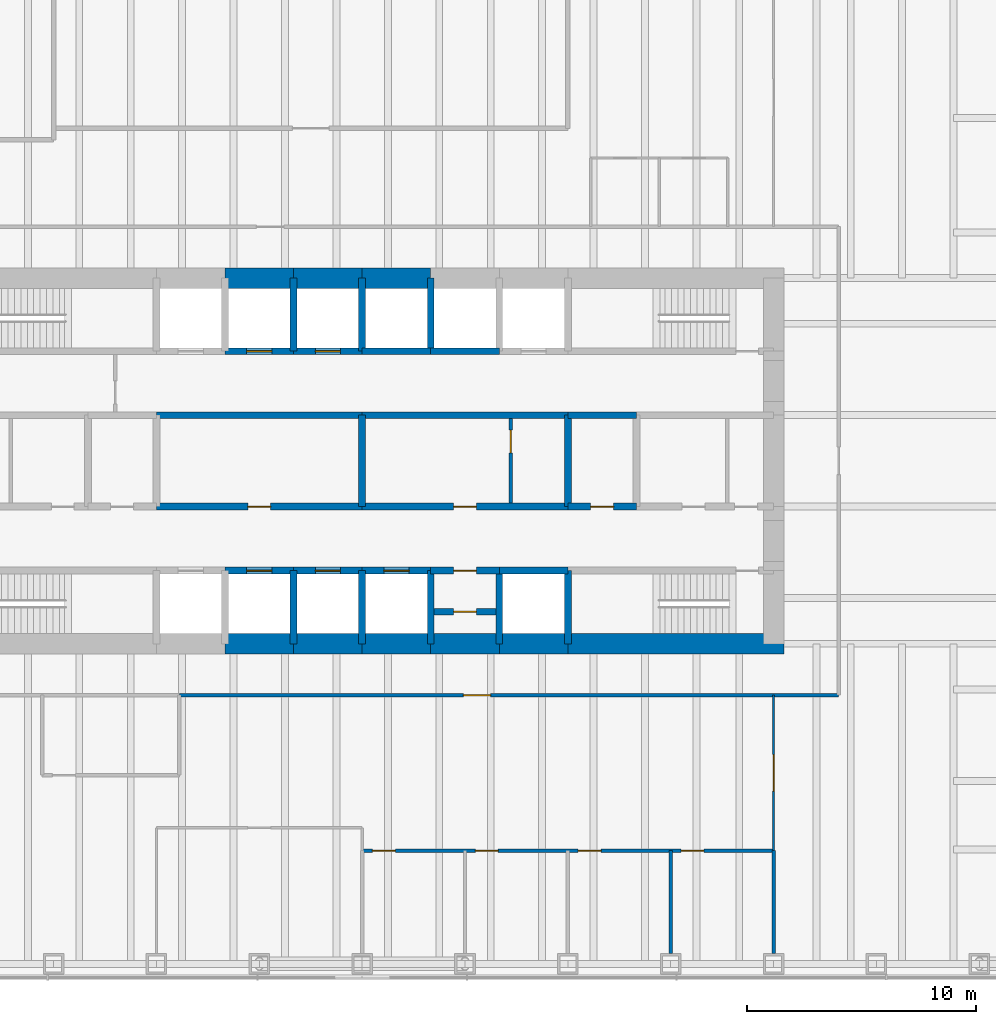
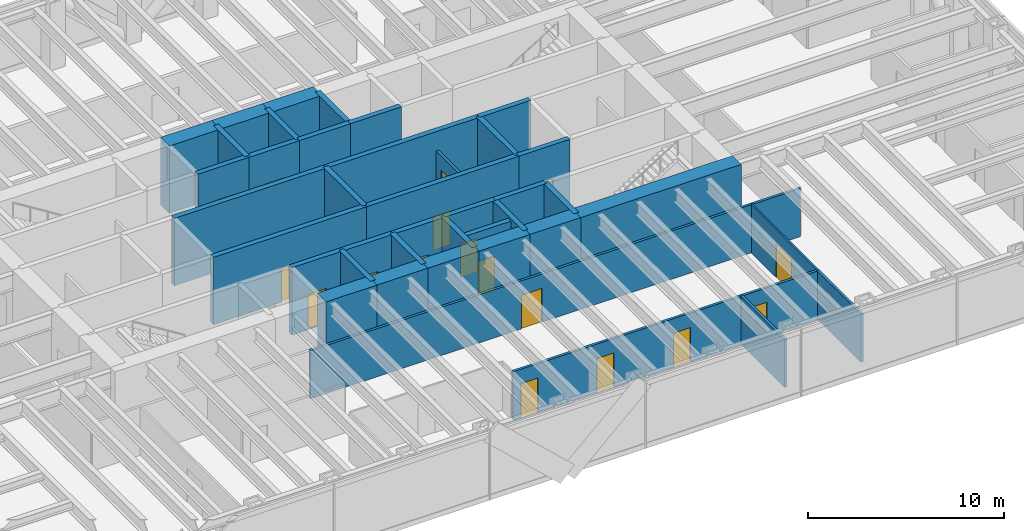
# One storey, part 12 of 15: 41 walls, 17 doors, 17 openings.
"""IFC4 building model written with IfcOpenShell, lengths in metres."""

from ifc_helpers import new_model, si_unit, direction, frame, frame_2d, origin, place, context, subcontext, project, spatial, rectangle, extrude, material, layer, layer_set, type_object, element, fill, save


model = new_model("IFC4")

# Units and contexts
model_context = context("Model", 3, precision=1e-05, world=origin(), true_north=direction((0.0, 1.0)))
body_context = subcontext(model_context, "Body", "Model", "MODEL_VIEW")
ifc_project = project(units=[si_unit("LENGTHUNIT", "METRE"), si_unit("AREAUNIT", "SQUARE_METRE"), si_unit("VOLUMEUNIT", "CUBIC_METRE"), si_unit("PLANEANGLEUNIT", "RADIAN"), si_unit("MASSUNIT", "GRAM", prefix="KILO")], contexts=[model_context])

# Site, building, storey
site_placement = place(None, origin())
site = spatial("IfcSite", under=ifc_project, at=site_placement, CompositionType="ELEMENT")
building_placement = place(site_placement, origin())
building = spatial("IfcBuilding", under=site, at=building_placement, Name="Rheinbord Bourse Tower", CompositionType="ELEMENT")
storey_placement = place(building_placement, frame((0.0, 0.0, 125.699951171875)))
storey = spatial("IfcBuildingStorey", under=building, at=storey_placement, Name="L27", CompositionType="ELEMENT", Elevation=125.699951171875)

# Wall, opening, door
ifc_material_1 = material(Name="Concrete C50/60", Category="concrete")
ifc_layer_1 = layer(ifc_material_1, 0.300048828125)
ifc_layer_set_1 = layer_set([ifc_layer_1], Name="CORE INNER WALL 300")
wall_type_1 = type_object("IfcWallType", Name="CORE INNER WALL 300", PredefinedType="SOLIDWALL", material=ifc_layer_set_1)
wall_1_placement = place(storey_placement, frame((30.0, 19.199951171875, 0.0), z_axis=(0.0, 0.0, 1.0), x_axis=(1.0, 0.0, 0.0)))
wall_1 = element("IfcWall", 1, at=wall_1_placement, inside=storey, type_object=wall_type_1, Name="Core wall A3 L27", PredefinedType="SOLIDWALL", context=body_context, shape_type="SweptSolid", body=[
    extrude(rectangle(XDim=3.0, YDim=0.300048828125, at=frame_2d((1.5, 0.0))), origin(), (0.0, 0.0, 1.0), 4.199951171875),
])
opening_1_placement = place(wall_1_placement, frame((0.949951171875, 0.0, 0.0)))
opening_1 = element("IfcOpeningElement", 2, at=opening_1_placement, cuts=wall_1, Name="Opening PB1", PredefinedType="OPENING", context=body_context, shape_type="SweptSolid", body=[
    extrude(rectangle(XDim=1.10009765625, YDim=2.199951171875, at=frame_2d((0.550048828125, 1.10009765625))), frame((0.0, 0.159912109375, 0.0), z_axis=(0.0, -1.0, 0.0), x_axis=(1.0, 0.0, 0.0)), (0.0, 0.0, 1.0), 0.320068359375),
])
ifc_material_2 = material(Name="Steel landing door", Category="steel")
door_type_1 = type_object("IfcDoorType", Name="LIFT LANDING DOOR 1100", OperationType="DOUBLE_DOOR_SLIDING", PredefinedType="USERDEFINED", material=ifc_material_2)
door_1_placement = place(opening_1_placement, origin())
door_1 = element("IfcDoor", 3, at=door_1_placement, inside=storey, type_object=door_type_1, Name="Lift landing door PB1 L27", ObjectType="LIFT LANDING DOOR", OperationType="DOUBLE_DOOR_SLIDING", OverallHeight=2.199951171875, OverallWidth=1.10009765625, PredefinedType="USERDEFINED", context=body_context, shape_type="SweptSolid", body=[
    extrude(rectangle(XDim=1.10009765625, YDim=2.199951171875, at=frame_2d((0.550048828125, 1.10009765625))), frame((0.0, 0.02490234375, 0.0), z_axis=(0.0, -1.0, 0.0), x_axis=(1.0, 0.0, 0.0)), (0.0, 0.0, 1.0), 0.050048828125),
])
fill(opening_1, door_1)

wall_2_placement = place(storey_placement, frame((33.0, 19.199951171875, 0.0), z_axis=(0.0, 0.0, 1.0), x_axis=(1.0, 0.0, 0.0)))
wall_2 = element("IfcWall", 4, at=wall_2_placement, inside=storey, type_object=wall_type_1, Name="Core wall A4 L27", PredefinedType="SOLIDWALL", context=body_context, shape_type="SweptSolid", body=[
    extrude(rectangle(XDim=3.0, YDim=0.300048828125, at=frame_2d((1.5, 0.0))), origin(), (0.0, 0.0, 1.0), 4.199951171875),
])
opening_2_placement = place(wall_2_placement, frame((0.949951171875, 0.0, 0.0)))
opening_2 = element("IfcOpeningElement", 5, at=opening_2_placement, cuts=wall_2, Name="Opening PB2", PredefinedType="OPENING", context=body_context, shape_type="SweptSolid", body=[
    extrude(rectangle(XDim=1.10009765625, YDim=2.199951171875, at=frame_2d((0.550048828125, 1.10009765625))), frame((0.0, 0.159912109375, 0.0), z_axis=(0.0, -1.0, 0.0), x_axis=(1.0, 0.0, 0.0)), (0.0, 0.0, 1.0), 0.320068359375),
])
door_2_placement = place(opening_2_placement, origin())
door_2 = element("IfcDoor", 6, at=door_2_placement, inside=storey, type_object=door_type_1, Name="Lift landing door PB2 L27", ObjectType="LIFT LANDING DOOR", OperationType="DOUBLE_DOOR_SLIDING", OverallHeight=2.199951171875, OverallWidth=1.10009765625, PredefinedType="USERDEFINED", context=body_context, shape_type="SweptSolid", body=[
    extrude(rectangle(XDim=1.10009765625, YDim=2.199951171875, at=frame_2d((0.550048828125, 1.10009765625))), frame((0.0, 0.02490234375, 0.0), z_axis=(0.0, -1.0, 0.0), x_axis=(1.0, 0.0, 0.0)), (0.0, 0.0, 1.0), 0.050048828125),
])
fill(opening_2, door_2)

wall_3_placement = place(storey_placement, frame((36.0, 19.199951171875, 0.0), z_axis=(0.0, 0.0, 1.0), x_axis=(1.0, 0.0, 0.0)))
wall_3 = element("IfcWall", 7, at=wall_3_placement, inside=storey, type_object=wall_type_1, Name="Core wall A5 L27", PredefinedType="SOLIDWALL", context=body_context, shape_type="SweptSolid", body=[
    extrude(rectangle(XDim=3.0, YDim=0.300048828125, at=frame_2d((1.5, 0.0))), origin(), (0.0, 0.0, 1.0), 4.199951171875),
])
opening_3_placement = place(wall_3_placement, frame((0.949951171875, 0.0, 0.0)))
opening_3 = element("IfcOpeningElement", 8, at=opening_3_placement, cuts=wall_3, Name="Opening PB3", PredefinedType="OPENING", context=body_context, shape_type="SweptSolid", body=[
    extrude(rectangle(XDim=1.10009765625, YDim=2.199951171875, at=frame_2d((0.550048828125, 1.10009765625))), frame((0.0, 0.159912109375, 0.0), z_axis=(0.0, -1.0, 0.0), x_axis=(1.0, 0.0, 0.0)), (0.0, 0.0, 1.0), 0.320068359375),
])
door_3_placement = place(opening_3_placement, origin())
door_3 = element("IfcDoor", 9, at=door_3_placement, inside=storey, type_object=door_type_1, Name="Lift landing door PB3 L27", ObjectType="LIFT LANDING DOOR", OperationType="DOUBLE_DOOR_SLIDING", OverallHeight=2.199951171875, OverallWidth=1.10009765625, PredefinedType="USERDEFINED", context=body_context, shape_type="SweptSolid", body=[
    extrude(rectangle(XDim=1.10009765625, YDim=2.199951171875, at=frame_2d((0.550048828125, 1.10009765625))), frame((0.0, 0.02490234375, 0.0), z_axis=(0.0, -1.0, 0.0), x_axis=(1.0, 0.0, 0.0)), (0.0, 0.0, 1.0), 0.050048828125),
])
fill(opening_3, door_3)

wall_4_placement = place(storey_placement, frame((39.0, 19.199951171875, 0.0), z_axis=(0.0, 0.0, 1.0), x_axis=(1.0, 0.0, 0.0)))
wall_4 = element("IfcWall", 10, at=wall_4_placement, inside=storey, type_object=wall_type_1, Name="Core wall A6 L27", PredefinedType="SOLIDWALL", context=body_context, shape_type="SweptSolid", body=[
    extrude(rectangle(XDim=3.0, YDim=0.300048828125, at=frame_2d((1.5, 0.0))), origin(), (0.0, 0.0, 1.0), 4.199951171875),
])
opening_4_placement = place(wall_4_placement, frame((1.0, 0.0, 0.0)))
opening_4 = element("IfcOpeningElement", 11, at=opening_4_placement, cuts=wall_4, Name="Opening 27R8", PredefinedType="OPENING", context=body_context, shape_type="SweptSolid", body=[
    extrude(rectangle(XDim=1.0, YDim=2.10009765625, at=frame_2d((0.5, 1.050048828125))), frame((0.0, 0.159912109375, 0.0), z_axis=(0.0, -1.0, 0.0), x_axis=(1.0, 0.0, 0.0)), (0.0, 0.0, 1.0), 0.320068359375),
])
ifc_material_3 = material(Name="Steel door", Category="steel")
door_type_2 = type_object("IfcDoorType", Name="DOOR 1000 EI30", OperationType="SINGLE_SWING_LEFT", PredefinedType="DOOR", material=ifc_material_3)
door_4_placement = place(opening_4_placement, origin())
door_4 = element("IfcDoor", 12, at=door_4_placement, inside=storey, type_object=door_type_2, Name="Archive store door L27", OperationType="SINGLE_SWING_LEFT", OverallHeight=2.10009765625, OverallWidth=1.0, PredefinedType="DOOR", context=body_context, shape_type="SweptSolid", body=[
    extrude(rectangle(XDim=1.0, YDim=2.10009765625, at=frame_2d((0.5, 1.050048828125))), frame((0.0, 0.02490234375, 0.0), z_axis=(0.0, -1.0, 0.0), x_axis=(1.0, 0.0, 0.0)), (0.0, 0.0, 1.0), 0.050048828125),
])
fill(opening_4, door_4)

# Wall
wall_5_placement = place(storey_placement, frame((42.0, 19.199951171875, 0.0), z_axis=(0.0, 0.0, 1.0), x_axis=(1.0, 0.0, 0.0)))
element("IfcWall", 13, at=wall_5_placement, inside=storey, type_object=wall_type_1, Name="Core wall A7 L27", PredefinedType="SOLIDWALL", context=body_context, shape_type="SweptSolid", body=[
    extrude(rectangle(XDim=3.0, YDim=0.300048828125, at=frame_2d((1.5, 0.0))), origin(), (0.0, 0.0, 1.0), 4.199951171875),
])

# Wall, opening, door
wall_6_placement = place(storey_placement, frame((30.0, 28.800048828125, 0.0), z_axis=(0.0, 0.0, 1.0), x_axis=(1.0, 0.0, 0.0)))
wall_6 = element("IfcWall", 14, at=wall_6_placement, inside=storey, type_object=wall_type_1, Name="Core wall B3 L27", PredefinedType="SOLIDWALL", context=body_context, shape_type="SweptSolid", body=[
    extrude(rectangle(XDim=3.0, YDim=0.300048828125, at=frame_2d((1.5, 0.0))), origin(), (0.0, 0.0, 1.0), 4.199951171875),
])
opening_5_placement = place(wall_6_placement, frame((0.949951171875, 0.0, 0.0)))
opening_5 = element("IfcOpeningElement", 15, at=opening_5_placement, cuts=wall_6, Name="Opening PB4", PredefinedType="OPENING", context=body_context, shape_type="SweptSolid", body=[
    extrude(rectangle(XDim=1.10009765625, YDim=2.199951171875, at=frame_2d((0.550048828125, 1.10009765625))), frame((0.0, 0.159912109375, 0.0), z_axis=(0.0, -1.0, 0.0), x_axis=(1.0, 0.0, 0.0)), (0.0, 0.0, 1.0), 0.320068359375),
])
door_5_placement = place(opening_5_placement, origin())
door_5 = element("IfcDoor", 16, at=door_5_placement, inside=storey, type_object=door_type_1, Name="Lift landing door PB4 L27", ObjectType="LIFT LANDING DOOR", OperationType="DOUBLE_DOOR_SLIDING", OverallHeight=2.199951171875, OverallWidth=1.10009765625, PredefinedType="USERDEFINED", context=body_context, shape_type="SweptSolid", body=[
    extrude(rectangle(XDim=1.10009765625, YDim=2.199951171875, at=frame_2d((0.550048828125, 1.10009765625))), frame((0.0, 0.02490234375, 0.0), z_axis=(0.0, -1.0, 0.0), x_axis=(1.0, 0.0, 0.0)), (0.0, 0.0, 1.0), 0.050048828125),
])
fill(opening_5, door_5)

wall_7_placement = place(storey_placement, frame((33.0, 28.800048828125, 0.0), z_axis=(0.0, 0.0, 1.0), x_axis=(1.0, 0.0, 0.0)))
wall_7 = element("IfcWall", 17, at=wall_7_placement, inside=storey, type_object=wall_type_1, Name="Core wall B4 L27", PredefinedType="SOLIDWALL", context=body_context, shape_type="SweptSolid", body=[
    extrude(rectangle(XDim=3.0, YDim=0.300048828125, at=frame_2d((1.5, 0.0))), origin(), (0.0, 0.0, 1.0), 4.199951171875),
])
opening_6_placement = place(wall_7_placement, frame((0.949951171875, 0.0, 0.0)))
opening_6 = element("IfcOpeningElement", 18, at=opening_6_placement, cuts=wall_7, Name="Opening PB5", PredefinedType="OPENING", context=body_context, shape_type="SweptSolid", body=[
    extrude(rectangle(XDim=1.10009765625, YDim=2.199951171875, at=frame_2d((0.550048828125, 1.10009765625))), frame((0.0, 0.159912109375, 0.0), z_axis=(0.0, -1.0, 0.0), x_axis=(1.0, 0.0, 0.0)), (0.0, 0.0, 1.0), 0.320068359375),
])
door_6_placement = place(opening_6_placement, origin())
door_6 = element("IfcDoor", 19, at=door_6_placement, inside=storey, type_object=door_type_1, Name="Lift landing door PB5 L27", ObjectType="LIFT LANDING DOOR", OperationType="DOUBLE_DOOR_SLIDING", OverallHeight=2.199951171875, OverallWidth=1.10009765625, PredefinedType="USERDEFINED", context=body_context, shape_type="SweptSolid", body=[
    extrude(rectangle(XDim=1.10009765625, YDim=2.199951171875, at=frame_2d((0.550048828125, 1.10009765625))), frame((0.0, 0.02490234375, 0.0), z_axis=(0.0, -1.0, 0.0), x_axis=(1.0, 0.0, 0.0)), (0.0, 0.0, 1.0), 0.050048828125),
])
fill(opening_6, door_6)

# Walls
for number, where, z_axis, x_axis, name in (
    (20, (36.0, 28.800048828125, 0.0), (0.0, 0.0, 1.0), (1.0, 0.0, 0.0), "Core wall B5 L27"),
    (21, (39.0, 28.800048828125, 0.0), (0.0, 0.0, 1.0), (1.0, 0.0, 0.0), "Core wall B6 L27"),
):
    element("IfcWall", number, at=place(storey_placement, frame(where, z_axis=z_axis, x_axis=x_axis)), inside=storey, type_object=wall_type_1, Name=name, PredefinedType="SOLIDWALL", context=body_context, shape_type="SweptSolid", body=[
        extrude(rectangle(XDim=3.0, YDim=0.300048828125, at=frame_2d((1.5, 0.0))), origin(), (0.0, 0.0, 1.0), 4.199951171875),
    ])

# Wall, opening, door
wall_8_placement = place(storey_placement, frame((27.0, 22.0, 0.0), z_axis=(0.0, 0.0, 1.0), x_axis=(1.0, 0.0, 0.0)))
wall_8 = element("IfcWall", 22, at=wall_8_placement, inside=storey, type_object=wall_type_1, Name="Core wall C3 L27", PredefinedType="SOLIDWALL", context=body_context, shape_type="SweptSolid", body=[
    extrude(rectangle(XDim=9.0, YDim=0.300048828125, at=frame_2d((4.5, 0.0))), origin(), (0.0, 0.0, 1.0), 4.199951171875),
])
opening_7_placement = place(wall_8_placement, frame((4.0, 0.0, 0.0)))
opening_7 = element("IfcOpeningElement", 23, at=opening_7_placement, cuts=wall_8, Name="Opening 27R3", PredefinedType="OPENING", context=body_context, shape_type="SweptSolid", body=[
    extrude(rectangle(XDim=1.0, YDim=2.10009765625, at=frame_2d((0.5, 1.050048828125))), frame((0.0, 0.159912109375, 0.0), z_axis=(0.0, -1.0, 0.0), x_axis=(1.0, 0.0, 0.0)), (0.0, 0.0, 1.0), 0.320068359375),
])
door_7_placement = place(opening_7_placement, origin())
door_7 = element("IfcDoor", 24, at=door_7_placement, inside=storey, type_object=door_type_2, Name="Riser door L27", OperationType="SINGLE_SWING_LEFT", OverallHeight=2.10009765625, OverallWidth=1.0, PredefinedType="DOOR", context=body_context, shape_type="SweptSolid", body=[
    extrude(rectangle(XDim=1.0, YDim=2.10009765625, at=frame_2d((0.5, 1.050048828125))), frame((0.0, 0.02490234375, 0.0), z_axis=(0.0, -1.0, 0.0), x_axis=(1.0, 0.0, 0.0)), (0.0, 0.0, 1.0), 0.050048828125),
])
fill(opening_7, door_7)

wall_9_placement = place(storey_placement, frame((36.0, 22.0, 0.0), z_axis=(0.0, 0.0, 1.0), x_axis=(1.0, 0.0, 0.0)))
wall_9 = element("IfcWall", 25, at=wall_9_placement, inside=storey, type_object=wall_type_1, Name="Core wall C4 L27", PredefinedType="SOLIDWALL", context=body_context, shape_type="SweptSolid", body=[
    extrude(rectangle(XDim=9.0, YDim=0.300048828125, at=frame_2d((4.5, 0.0))), origin(), (0.0, 0.0, 1.0), 4.199951171875),
])
opening_8_placement = place(wall_9_placement, frame((4.0, 0.0, 0.0)))
opening_8 = element("IfcOpeningElement", 26, at=opening_8_placement, cuts=wall_9, Name="Opening 27R4", PredefinedType="OPENING", context=body_context, shape_type="SweptSolid", body=[
    extrude(rectangle(XDim=1.0, YDim=2.10009765625, at=frame_2d((0.5, 1.050048828125))), frame((0.0, 0.159912109375, 0.0), z_axis=(0.0, -1.0, 0.0), x_axis=(1.0, 0.0, 0.0)), (0.0, 0.0, 1.0), 0.320068359375),
])
door_8_placement = place(opening_8_placement, origin())
door_8 = element("IfcDoor", 27, at=door_8_placement, inside=storey, type_object=door_type_2, Name="Print room door L27", OperationType="SINGLE_SWING_LEFT", OverallHeight=2.10009765625, OverallWidth=1.0, PredefinedType="DOOR", context=body_context, shape_type="SweptSolid", body=[
    extrude(rectangle(XDim=1.0, YDim=2.10009765625, at=frame_2d((0.5, 1.050048828125))), frame((0.0, 0.02490234375, 0.0), z_axis=(0.0, -1.0, 0.0), x_axis=(1.0, 0.0, 0.0)), (0.0, 0.0, 1.0), 0.050048828125),
])
fill(opening_8, door_8)

wall_10_placement = place(storey_placement, frame((45.0, 22.0, 0.0), z_axis=(0.0, 0.0, 1.0), x_axis=(1.0, 0.0, 0.0)))
wall_10 = element("IfcWall", 28, at=wall_10_placement, inside=storey, type_object=wall_type_1, Name="Core wall C5 L27", PredefinedType="SOLIDWALL", context=body_context, shape_type="SweptSolid", body=[
    extrude(rectangle(XDim=3.0, YDim=0.300048828125, at=frame_2d((1.5, 0.0))), origin(), (0.0, 0.0, 1.0), 4.199951171875),
])
opening_9_placement = place(wall_10_placement, frame((1.0, 0.0, 0.0)))
opening_9 = element("IfcOpeningElement", 29, at=opening_9_placement, cuts=wall_10, Name="Opening 27R5", PredefinedType="OPENING", context=body_context, shape_type="SweptSolid", body=[
    extrude(rectangle(XDim=1.0, YDim=2.10009765625, at=frame_2d((0.5, 1.050048828125))), frame((0.0, 0.159912109375, 0.0), z_axis=(0.0, -1.0, 0.0), x_axis=(1.0, 0.0, 0.0)), (0.0, 0.0, 1.0), 0.320068359375),
])
ifc_material_4 = material(Name="Timber door", Category="wood")
door_type_3 = type_object("IfcDoorType", Name="DOOR 1000 WC", OperationType="SINGLE_SWING_LEFT", PredefinedType="DOOR", material=ifc_material_4)
door_9_placement = place(opening_9_placement, origin())
door_9 = element("IfcDoor", 30, at=door_9_placement, inside=storey, type_object=door_type_3, Name="Accessible WC door L27", OperationType="SINGLE_SWING_LEFT", OverallHeight=2.10009765625, OverallWidth=1.0, PredefinedType="DOOR", context=body_context, shape_type="SweptSolid", body=[
    extrude(rectangle(XDim=1.0, YDim=2.10009765625, at=frame_2d((0.5, 1.050048828125))), frame((0.0, 0.02490234375, 0.0), z_axis=(0.0, -1.0, 0.0), x_axis=(1.0, 0.0, 0.0)), (0.0, 0.0, 1.0), 0.050048828125),
])
fill(opening_9, door_9)

# Walls
for number, where, z_axis, x_axis, name in (
    (31, (27.0, 26.0, 0.0), (0.0, 0.0, 1.0), (1.0, 0.0, 0.0), "Core wall D3 L27"),
    (32, (36.0, 26.0, 0.0), (0.0, 0.0, 1.0), (1.0, 0.0, 0.0), "Core wall D4 L27"),
):
    element("IfcWall", number, at=place(storey_placement, frame(where, z_axis=z_axis, x_axis=x_axis)), inside=storey, type_object=wall_type_1, Name=name, PredefinedType="SOLIDWALL", context=body_context, shape_type="SweptSolid", body=[
        extrude(rectangle(XDim=9.0, YDim=0.300048828125, at=frame_2d((4.5, 0.0))), origin(), (0.0, 0.0, 1.0), 4.199951171875),
    ])
wall_11_placement = place(storey_placement, frame((45.0, 26.0, 0.0), z_axis=(0.0, 0.0, 1.0), x_axis=(1.0, 0.0, 0.0)))
element("IfcWall", 33, at=wall_11_placement, inside=storey, type_object=wall_type_1, Name="Core wall D5 L27", PredefinedType="SOLIDWALL", context=body_context, shape_type="SweptSolid", body=[
    extrude(rectangle(XDim=3.0, YDim=0.300048828125, at=frame_2d((1.5, 0.0))), origin(), (0.0, 0.0, 1.0), 4.199951171875),
])
for number, where, z_axis, x_axis, name in (
    (34, (33.0, 16.0, 0.0), (0.0, 0.0, 1.0), (0.0, 1.0, 0.0), "Core wall SX33 L27"),
    (35, (33.0, 28.800048828125, 0.0), (0.0, 0.0, 1.0), (0.0, 1.0, 0.0), "Core wall NX33 L27"),
    (36, (36.0, 16.0, 0.0), (0.0, 0.0, 1.0), (0.0, 1.0, 0.0), "Core wall SX36 L27"),
    (37, (36.0, 28.800048828125, 0.0), (0.0, 0.0, 1.0), (0.0, 1.0, 0.0), "Core wall NX36 L27"),
    (38, (39.0, 16.0, 0.0), (0.0, 0.0, 1.0), (0.0, 1.0, 0.0), "Core wall SX39 L27"),
    (39, (39.0, 28.800048828125, 0.0), (0.0, 0.0, 1.0), (0.0, 1.0, 0.0), "Core wall NX39 L27"),
    (40, (42.0, 16.0, 0.0), (0.0, 0.0, 1.0), (0.0, 1.0, 0.0), "Core wall SX42 L27"),
    (41, (45.0, 16.0, 0.0), (0.0, 0.0, 1.0), (0.0, 1.0, 0.0), "Core wall SX45 L27"),
):
    element("IfcWall", number, at=place(storey_placement, frame(where, z_axis=z_axis, x_axis=x_axis)), inside=storey, type_object=wall_type_1, Name=name, PredefinedType="SOLIDWALL", context=body_context, shape_type="SweptSolid", body=[
        extrude(rectangle(XDim=3.199951171875, YDim=0.300048828125, at=frame_2d((1.60009765625, 0.0))), origin(), (0.0, 0.0, 1.0), 4.199951171875),
    ])
for number, where, z_axis, x_axis, name in (
    (42, (36.0, 22.0, 0.0), (0.0, 0.0, 1.0), (0.0, 1.0, 0.0), "Core wall MX36 L27"),
    (43, (45.0, 22.0, 0.0), (0.0, 0.0, 1.0), (0.0, 1.0, 0.0), "Core wall MX45 L27"),
):
    element("IfcWall", number, at=place(storey_placement, frame(where, z_axis=z_axis, x_axis=x_axis)), inside=storey, type_object=wall_type_1, Name=name, PredefinedType="SOLIDWALL", context=body_context, shape_type="SweptSolid", body=[
        extrude(rectangle(XDim=4.0, YDim=0.300048828125, at=frame_2d((2.0, 0.0))), origin(), (0.0, 0.0, 1.0), 4.199951171875),
    ])

# Wall, opening, door
wall_12_placement = place(storey_placement, frame((39.14990234375, 17.39990234375, 0.0), z_axis=(0.0, 0.0, 1.0), x_axis=(1.0, 0.0, 0.0)))
wall_12 = element("IfcWall", 44, at=wall_12_placement, inside=storey, type_object=wall_type_1, Name="Core riser wall L27-6", PredefinedType="SOLIDWALL", context=body_context, shape_type="SweptSolid", body=[
    extrude(rectangle(XDim=2.7001953125, YDim=0.300048828125, at=frame_2d((1.35009765625, 0.0))), origin(), (0.0, 0.0, 1.0), 4.0400390625),
])
opening_10_placement = place(wall_12_placement, frame((0.85009765625, 0.0, 0.0)))
opening_10 = element("IfcOpeningElement", 45, at=opening_10_placement, cuts=wall_12, Name="Opening 27R12", PredefinedType="OPENING", context=body_context, shape_type="SweptSolid", body=[
    extrude(rectangle(XDim=1.0, YDim=2.10009765625, at=frame_2d((0.5, 1.050048828125))), frame((0.0, 0.159912109375, 0.0), z_axis=(0.0, -1.0, 0.0), x_axis=(1.0, 0.0, 0.0)), (0.0, 0.0, 1.0), 0.320068359375),
])
door_10_placement = place(opening_10_placement, origin())
door_10 = element("IfcDoor", 46, at=door_10_placement, inside=storey, type_object=door_type_2, Name="Comms riser door L27", OperationType="SINGLE_SWING_LEFT", OverallHeight=2.10009765625, OverallWidth=1.0, PredefinedType="DOOR", context=body_context, shape_type="SweptSolid", body=[
    extrude(rectangle(XDim=1.0, YDim=2.10009765625, at=frame_2d((0.5, 1.050048828125))), frame((0.0, 0.02490234375, 0.0), z_axis=(0.0, -1.0, 0.0), x_axis=(1.0, 0.0, 0.0)), (0.0, 0.0, 1.0), 0.050048828125),
])
fill(opening_10, door_10)

ifc_material_5 = material(Name="Gypsum board fire partition", Category="gypsum board")
ifc_layer_2 = layer(ifc_material_5, 0.14990234375)
ifc_layer_set_2 = layer_set([ifc_layer_2], Name="CORE PARTITION 150 EI30")
wall_type_2 = type_object("IfcWallType", Name="CORE PARTITION 150 EI30", PredefinedType="PARTITIONING", material=ifc_layer_set_2)
wall_13_placement = place(storey_placement, frame((42.5, 22.14990234375, 0.0), z_axis=(0.0, 0.0, 1.0), x_axis=(0.0, 1.0, 0.0)))
wall_13 = element("IfcWall", 47, at=wall_13_placement, inside=storey, type_object=wall_type_2, Name="Core partition L27-1", PredefinedType="PARTITIONING", context=body_context, shape_type="SweptSolid", body=[
    extrude(rectangle(XDim=3.7001953125, YDim=0.14990234375, at=frame_2d((1.85009765625, 0.0))), origin(), (0.0, 0.0, 1.0), 3.0),
])
opening_11_placement = place(wall_13_placement, frame((2.199951171875, 0.0, 0.0)))
opening_11 = element("IfcOpeningElement", 48, at=opening_11_placement, cuts=wall_13, Name="Opening 27R7", PredefinedType="OPENING", context=body_context, shape_type="SweptSolid", body=[
    extrude(rectangle(XDim=1.0, YDim=2.10009765625, at=frame_2d((0.5, 1.050048828125))), frame((0.0, 0.0849609375, 0.0), z_axis=(0.0, -1.0, 0.0), x_axis=(1.0, 0.0, 0.0)), (0.0, 0.0, 1.0), 0.169921875),
])
door_11_placement = place(opening_11_placement, origin())
door_11 = element("IfcDoor", 49, at=door_11_placement, inside=storey, type_object=door_type_2, Name="Paper store door L27", OperationType="SINGLE_SWING_RIGHT", OverallHeight=2.10009765625, OverallWidth=1.0, PredefinedType="DOOR", context=body_context, shape_type="SweptSolid", body=[
    extrude(rectangle(XDim=1.0, YDim=2.10009765625, at=frame_2d((0.5, 1.050048828125))), frame((0.0, 0.02490234375, 0.0), z_axis=(0.0, -1.0, 0.0), x_axis=(1.0, 0.0, 0.0)), (0.0, 0.0, 1.0), 0.050048828125),
])
fill(opening_11, door_11)

# Walls
ifc_material_6 = material(Name="Concrete C50/60", Category="concrete")
ifc_layer_3 = layer(ifc_material_6, 0.89990234375)
ifc_layer_set_3 = layer_set([ifc_layer_3], Name="CORE WALL 900")
wall_type_3 = type_object("IfcWallType", Name="CORE WALL 900", PredefinedType="SHEAR", material=ifc_layer_set_3)
for number, where, z_axis, x_axis, name in (
    (50, (30.0, 16.0, 0.0), (0.0, 0.0, 1.0), (1.0, 0.0, 0.0), "Core wall S3 L27"),
    (51, (33.0, 16.0, 0.0), (0.0, 0.0, 1.0), (1.0, 0.0, 0.0), "Core wall S4 L27"),
    (52, (36.0, 16.0, 0.0), (0.0, 0.0, 1.0), (1.0, 0.0, 0.0), "Core wall S5 L27"),
    (53, (39.0, 16.0, 0.0), (0.0, 0.0, 1.0), (1.0, 0.0, 0.0), "Core wall S6 L27"),
    (54, (42.0, 16.0, 0.0), (0.0, 0.0, 1.0), (1.0, 0.0, 0.0), "Core wall S7 L27"),
):
    element("IfcWall", number, at=place(storey_placement, frame(where, z_axis=z_axis, x_axis=x_axis)), inside=storey, type_object=wall_type_3, Name=name, PredefinedType="SHEAR", context=body_context, shape_type="SweptSolid", body=[
        extrude(rectangle(XDim=3.0, YDim=0.89990234375, at=frame_2d((1.5, 0.0))), origin(), (0.0, 0.0, 1.0), 4.199951171875),
    ])
wall_14_placement = place(storey_placement, frame((45.0, 16.0, 0.0), z_axis=(0.0, 0.0, 1.0), x_axis=(1.0, 0.0, 0.0)))
element("IfcWall", 55, at=wall_14_placement, inside=storey, type_object=wall_type_3, Name="Core wall S8 L27", PredefinedType="SHEAR", context=body_context, shape_type="SweptSolid", body=[
    extrude(rectangle(XDim=9.449951171875, YDim=0.89990234375, at=frame_2d((4.72509765625, 0.0))), origin(), (0.0, 0.0, 1.0), 4.199951171875),
])
for number, where, z_axis, x_axis, name in (
    (56, (39.0, 32.0, 0.0), (0.0, 0.0, 1.0), (-1.0, 0.0, 0.0), "Core wall N4 L27"),
    (57, (36.0, 32.0, 0.0), (0.0, 0.0, 1.0), (-1.0, 0.0, 0.0), "Core wall N5 L27"),
    (58, (33.0, 32.0, 0.0), (0.0, 0.0, 1.0), (-1.0, 0.0, 0.0), "Core wall N6 L27"),
):
    element("IfcWall", number, at=place(storey_placement, frame(where, z_axis=z_axis, x_axis=x_axis)), inside=storey, type_object=wall_type_3, Name=name, PredefinedType="SHEAR", context=body_context, shape_type="SweptSolid", body=[
        extrude(rectangle(XDim=3.0, YDim=0.89990234375, at=frame_2d((1.5, 0.0))), origin(), (0.0, 0.0, 1.0), 4.199951171875),
    ])

# Wall, opening, door
ifc_material_7 = material(Name="Gypsum board corridor partition", Category="gypsum board")
ifc_layer_4 = layer(ifc_material_7, 0.14990234375)
ifc_layer_set_4 = layer_set([ifc_layer_4], Name="CORRIDOR PARTITION 150 EI30")
wall_type_4 = type_object("IfcWallType", Name="CORRIDOR PARTITION 150 EI30", PredefinedType="PARTITIONING", material=ifc_layer_set_4)
wall_15_placement = place(storey_placement, frame((28.0, 13.75, 0.0), z_axis=(0.0, 0.0, 1.0), x_axis=(1.0, 0.0, 0.0)))
wall_15 = element("IfcWall", 59, at=wall_15_placement, inside=storey, type_object=wall_type_4, Name="Partition L27-10", PredefinedType="PARTITIONING", context=body_context, shape_type="SweptSolid", body=[
    extrude(rectangle(XDim=28.85009765625, YDim=0.14990234375, at=frame_2d((14.425048828125, 0.0))), origin(), (0.0, 0.0, 1.0), 3.0),
])
opening_12_placement = place(wall_15_placement, frame((12.425048828125, 0.0, 0.0)))
opening_12 = element("IfcOpeningElement", 60, at=opening_12_placement, cuts=wall_15, Name="Opening 27D23", PredefinedType="OPENING", context=body_context, shape_type="SweptSolid", body=[
    extrude(rectangle(XDim=1.199951171875, YDim=2.10009765625, at=frame_2d((0.60009765625, 1.050048828125))), frame((0.0, 0.0849609375, 0.0), z_axis=(0.0, -1.0, 0.0), x_axis=(1.0, 0.0, 0.0)), (0.0, 0.0, 1.0), 0.169921875),
])
ifc_material_8 = material(Name="Timber fire door", Category="wood")
door_type_4 = type_object("IfcDoorType", Name="SUITE ENTRANCE DOOR 1200 EI30", OperationType="SINGLE_SWING_LEFT", PredefinedType="DOOR", material=ifc_material_8)
door_12_placement = place(opening_12_placement, origin())
door_12 = element("IfcDoor", 61, at=door_12_placement, inside=storey, type_object=door_type_4, Name="Suite entrance 3 door L27", OperationType="SINGLE_SWING_LEFT", OverallHeight=2.10009765625, OverallWidth=1.199951171875, PredefinedType="DOOR", context=body_context, shape_type="SweptSolid", body=[
    extrude(rectangle(XDim=1.199951171875, YDim=2.10009765625, at=frame_2d((0.60009765625, 1.050048828125))), frame((0.0, 0.02490234375, 0.0), z_axis=(0.0, -1.0, 0.0), x_axis=(1.0, 0.0, 0.0)), (0.0, 0.0, 1.0), 0.050048828125),
])
fill(opening_12, door_12)

ifc_material_9 = material(Name="Toughened laminated glass partition", Category="glass")
ifc_layer_5 = layer(ifc_material_9, 0.10009765625)
ifc_layer_set_5 = layer_set([ifc_layer_5], Name="GLAZED PARTITION 100")
wall_type_5 = type_object("IfcWallType", Name="GLAZED PARTITION 100", PredefinedType="PARTITIONING", material=ifc_layer_set_5)
wall_16_placement = place(storey_placement, frame((54.0, 6.949951171875, 0.0), z_axis=(0.0, 0.0, 1.0), x_axis=(0.0, 1.0, 0.0)))
wall_16 = element("IfcWall", 62, at=wall_16_placement, inside=storey, type_object=wall_type_5, Name="Partition L27-39", PredefinedType="PARTITIONING", context=body_context, shape_type="SweptSolid", body=[
    extrude(rectangle(XDim=6.800048828125, YDim=0.10009765625, at=frame_2d((3.39990234375, 0.0))), origin(), (0.0, 0.0, 1.0), 3.0),
])
opening_13_placement = place(wall_16_placement, frame((2.60009765625, 0.0, 0.0)))
opening_13 = element("IfcOpeningElement", 63, at=opening_13_placement, cuts=wall_16, Name="Opening 27D19", PredefinedType="OPENING", context=body_context, shape_type="SweptSolid", body=[
    extrude(rectangle(XDim=1.60009765625, YDim=2.10009765625, at=frame_2d((0.800048828125, 1.050048828125))), frame((0.0, 0.06005859375, 0.0), z_axis=(0.0, -1.0, 0.0), x_axis=(1.0, 0.0, 0.0)), (0.0, 0.0, 1.0), 0.1201171875),
])
ifc_material_10 = material(Name="Timber door", Category="wood")
door_type_5 = type_object("IfcDoorType", Name="DOUBLE ROOM DOOR 1600", OperationType="DOUBLE_DOOR_DOUBLE_SWING", PredefinedType="DOOR", material=ifc_material_10)
door_13_placement = place(opening_13_placement, origin())
door_13 = element("IfcDoor", 64, at=door_13_placement, inside=storey, type_object=door_type_5, Name="Open area door L27", OperationType="SINGLE_SWING_LEFT", OverallHeight=2.10009765625, OverallWidth=1.60009765625, PredefinedType="DOOR", context=body_context, shape_type="SweptSolid", body=[
    extrude(rectangle(XDim=1.60009765625, YDim=2.10009765625, at=frame_2d((0.800048828125, 1.050048828125))), frame((0.0, 0.02490234375, 0.0), z_axis=(0.0, -1.0, 0.0), x_axis=(1.0, 0.0, 0.0)), (0.0, 0.0, 1.0), 0.050048828125),
])
fill(opening_13, door_13)

# Wall, openings, doors
ifc_material_11 = material(Name="Gypsum board partition", Category="gypsum board")
ifc_layer_6 = layer(ifc_material_11, 0.14990234375)
ifc_layer_set_6 = layer_set([ifc_layer_6], Name="PARTITION 150")
wall_type_6 = type_object("IfcWallType", Name="PARTITION 150", PredefinedType="PARTITIONING", material=ifc_layer_set_6)
wall_17_placement = place(storey_placement, frame((36.0, 6.949951171875, 0.0), z_axis=(0.0, 0.0, 1.0), x_axis=(1.0, 0.0, 0.0)))
wall_17 = element("IfcWall", 65, at=wall_17_placement, inside=storey, type_object=wall_type_6, Name="Partition L27-01", PredefinedType="PARTITIONING", context=body_context, shape_type="SweptSolid", body=[
    extrude(rectangle(XDim=18.0, YDim=0.14990234375, at=frame_2d((9.0, 0.0))), origin(), (0.0, 0.0, 1.0), 3.0),
])
opening_14_placement = place(wall_17_placement, frame((0.449951171875, 0.0, 0.0)))
opening_14 = element("IfcOpeningElement", 66, at=opening_14_placement, cuts=wall_17, Name="Opening 27D01", PredefinedType="OPENING", context=body_context, shape_type="SweptSolid", body=[
    extrude(rectangle(XDim=1.0, YDim=2.10009765625, at=frame_2d((0.5, 1.050048828125))), frame((0.0, 0.0849609375, 0.0), z_axis=(0.0, -1.0, 0.0), x_axis=(1.0, 0.0, 0.0)), (0.0, 0.0, 1.0), 0.169921875),
])
opening_15_placement = place(wall_17_placement, frame((4.949951171875, 0.0, 0.0)))
opening_15 = element("IfcOpeningElement", 67, at=opening_15_placement, cuts=wall_17, Name="Opening 27D02", PredefinedType="OPENING", context=body_context, shape_type="SweptSolid", body=[
    extrude(rectangle(XDim=1.0, YDim=2.10009765625, at=frame_2d((0.5, 1.050048828125))), frame((0.0, 0.0849609375, 0.0), z_axis=(0.0, -1.0, 0.0), x_axis=(1.0, 0.0, 0.0)), (0.0, 0.0, 1.0), 0.169921875),
])
opening_16_placement = place(wall_17_placement, frame((9.449951171875, 0.0, 0.0)))
opening_16 = element("IfcOpeningElement", 68, at=opening_16_placement, cuts=wall_17, Name="Opening 27D03", PredefinedType="OPENING", context=body_context, shape_type="SweptSolid", body=[
    extrude(rectangle(XDim=1.0, YDim=2.10009765625, at=frame_2d((0.5, 1.050048828125))), frame((0.0, 0.0849609375, 0.0), z_axis=(0.0, -1.0, 0.0), x_axis=(1.0, 0.0, 0.0)), (0.0, 0.0, 1.0), 0.169921875),
])
opening_17_placement = place(wall_17_placement, frame((13.949951171875, 0.0, 0.0)))
opening_17 = element("IfcOpeningElement", 69, at=opening_17_placement, cuts=wall_17, Name="Opening 27D04", PredefinedType="OPENING", context=body_context, shape_type="SweptSolid", body=[
    extrude(rectangle(XDim=1.0, YDim=2.10009765625, at=frame_2d((0.5, 1.050048828125))), frame((0.0, 0.0849609375, 0.0), z_axis=(0.0, -1.0, 0.0), x_axis=(1.0, 0.0, 0.0)), (0.0, 0.0, 1.0), 0.169921875),
])
ifc_material_12 = material(Name="Timber door", Category="wood")
door_type_6 = type_object("IfcDoorType", Name="ROOM DOOR 1000", OperationType="SINGLE_SWING_LEFT", PredefinedType="DOOR", material=ifc_material_12)
door_14_placement = place(opening_14_placement, origin())
door_14 = element("IfcDoor", 70, at=door_14_placement, inside=storey, type_object=door_type_6, Name="Office door L27", OperationType="SINGLE_SWING_LEFT", OverallHeight=2.10009765625, OverallWidth=1.0, PredefinedType="DOOR", context=body_context, shape_type="SweptSolid", body=[
    extrude(rectangle(XDim=1.0, YDim=2.10009765625, at=frame_2d((0.5, 1.050048828125))), frame((0.0, 0.02490234375, 0.0), z_axis=(0.0, -1.0, 0.0), x_axis=(1.0, 0.0, 0.0)), (0.0, 0.0, 1.0), 0.050048828125),
])
fill(opening_14, door_14)
door_15_placement = place(opening_15_placement, origin())
door_15 = element("IfcDoor", 71, at=door_15_placement, inside=storey, type_object=door_type_6, Name="Office door L27", OperationType="SINGLE_SWING_LEFT", OverallHeight=2.10009765625, OverallWidth=1.0, PredefinedType="DOOR", context=body_context, shape_type="SweptSolid", body=[
    extrude(rectangle(XDim=1.0, YDim=2.10009765625, at=frame_2d((0.5, 1.050048828125))), frame((0.0, 0.02490234375, 0.0), z_axis=(0.0, -1.0, 0.0), x_axis=(1.0, 0.0, 0.0)), (0.0, 0.0, 1.0), 0.050048828125),
])
fill(opening_15, door_15)
door_16_placement = place(opening_16_placement, origin())
door_16 = element("IfcDoor", 72, at=door_16_placement, inside=storey, type_object=door_type_6, Name="Office door L27", OperationType="SINGLE_SWING_RIGHT", OverallHeight=2.10009765625, OverallWidth=1.0, PredefinedType="DOOR", context=body_context, shape_type="SweptSolid", body=[
    extrude(rectangle(XDim=1.0, YDim=2.10009765625, at=frame_2d((0.5, 1.050048828125))), frame((0.0, 0.02490234375, 0.0), z_axis=(0.0, -1.0, 0.0), x_axis=(1.0, 0.0, 0.0)), (0.0, 0.0, 1.0), 0.050048828125),
])
fill(opening_16, door_16)
door_17_placement = place(opening_17_placement, origin())
door_17 = element("IfcDoor", 73, at=door_17_placement, inside=storey, type_object=door_type_6, Name="Office door L27", OperationType="SINGLE_SWING_RIGHT", OverallHeight=2.10009765625, OverallWidth=1.0, PredefinedType="DOOR", context=body_context, shape_type="SweptSolid", body=[
    extrude(rectangle(XDim=1.0, YDim=2.10009765625, at=frame_2d((0.5, 1.050048828125))), frame((0.0, 0.02490234375, 0.0), z_axis=(0.0, -1.0, 0.0), x_axis=(1.0, 0.0, 0.0)), (0.0, 0.0, 1.0), 0.050048828125),
])
fill(opening_17, door_17)

# Walls
for number, where, z_axis, x_axis, name in (
    (74, (49.5, 2.449951171875, 0.0), (0.0, 0.0, 1.0), (0.0, 1.0, 0.0), "Partition L27-36"),
    (75, (54.0, 2.449951171875, 0.0), (0.0, 0.0, 1.0), (0.0, 1.0, 0.0), "Partition L27-38"),
):
    element("IfcWall", number, at=place(storey_placement, frame(where, z_axis=z_axis, x_axis=x_axis)), inside=storey, type_object=wall_type_6, Name=name, PredefinedType="PARTITIONING", context=body_context, shape_type="SweptSolid", body=[
        extrude(rectangle(XDim=4.5, YDim=0.14990234375, at=frame_2d((2.25, 0.0))), origin(), (0.0, 0.0, 1.0), 3.0),
    ])

save(model, "model.ifc")
